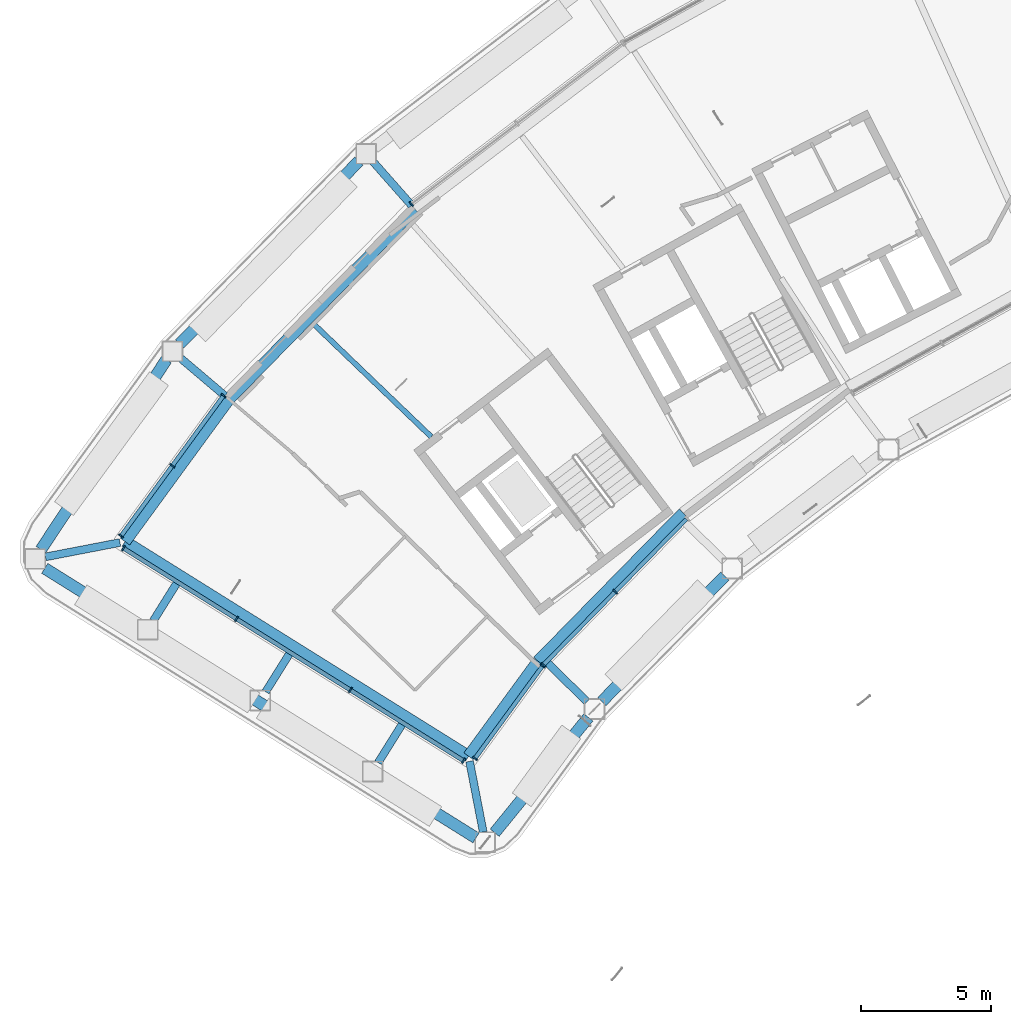
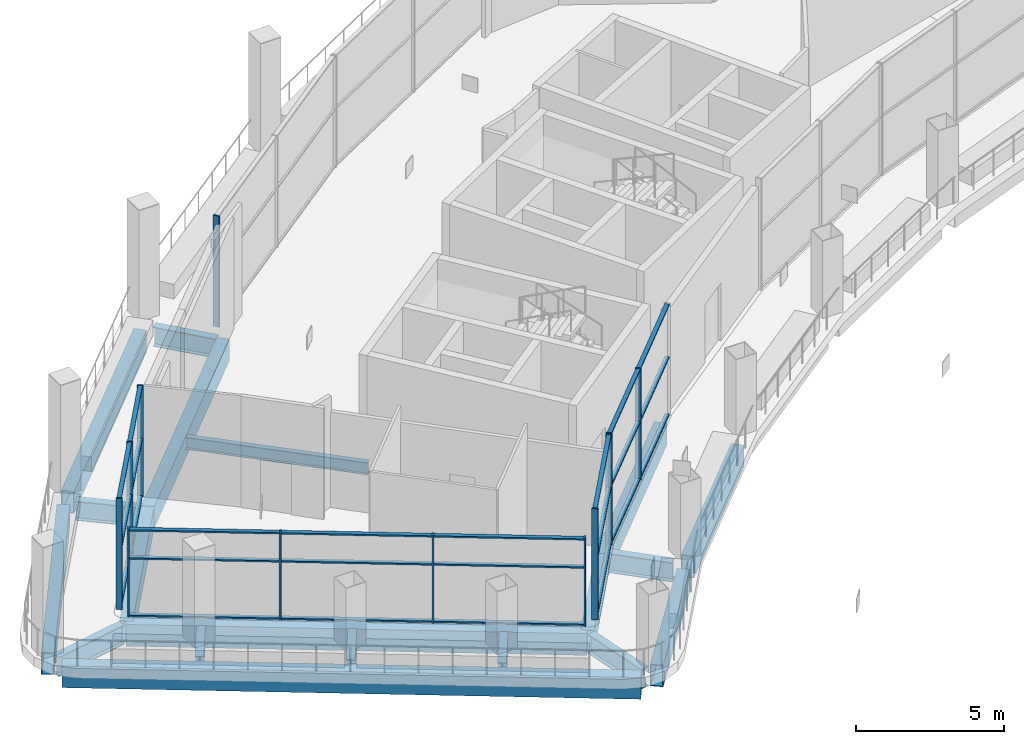
# One storey, part 3 of 29: 36 members, 19 beams, 5 elements without a shape of their own.
"""IFC4 building model written with IfcOpenShell, lengths in metres."""

from ifc_helpers import new_model, si_unit, direction, frame, origin, origin_2d, place, context, subcontext, project, spatial, rectangle, hollow_rectangle, i_section, extrude, material, layer, layer_set, material_profile, profile_set, type_object, element, aggregate, save


model = new_model("IFC4")

# Units and contexts
model_context = context("Model", 3, precision=1e-05, world=origin(), true_north=direction((0.0, 1.0)))
body_context = subcontext(model_context, "Body", "Model", "MODEL_VIEW")
ifc_project = project(units=[si_unit("LENGTHUNIT", "METRE"), si_unit("AREAUNIT", "SQUARE_METRE"), si_unit("VOLUMEUNIT", "CUBIC_METRE"), si_unit("PLANEANGLEUNIT", "RADIAN"), si_unit("MASSUNIT", "GRAM", prefix="KILO")], contexts=[model_context])

# Site, building, storey
site_placement = place(None, origin())
site = spatial("IfcSite", under=ifc_project, at=site_placement, CompositionType="ELEMENT")
building_placement = place(site_placement, origin())
building = spatial("IfcBuilding", under=site, at=building_placement, Name="Tuul Gate Civic Tower", CompositionType="ELEMENT")
storey_placement = place(building_placement, frame((0.0, 0.0, 238.89990234375)))
storey = spatial("IfcBuildingStorey", under=building, at=storey_placement, Name="Sky garden level 2", CompositionType="ELEMENT", Elevation=238.89990234375)

# Curtain wall, member
ifc_material_1 = material(Name="Aluminium", Category="aluminium")
ifc_layer_1 = layer(ifc_material_1, 0.199951171875)
ifc_layer_set_1 = layer_set([ifc_layer_1], Name="Aluminium")
curtain_wall_type_1 = type_object("IfcCurtainWallType", Name="Curtain wall CW3", PredefinedType="NOTDEFINED", material=ifc_layer_set_1)
curtain_wall_1_placement = place(storey_placement, origin())
curtain_wall_1 = element("IfcCurtainWall", 1, at=curtain_wall_1_placement, inside=storey, type_object=curtain_wall_type_1, Name="Curtain wall CW3", PredefinedType="NOTDEFINED")
ifc_material_2 = material(Name="Aluminium", Category="aluminium")
ifc_material_profile_1 = material_profile(ifc_material_2, rectangle(XDim=0.219970703125, YDim=0.06005859375, at=origin_2d()), Name="CW3 mullion")
ifc_profile_set_1 = profile_set([ifc_material_profile_1], Name="Aluminium")
member_type_1 = type_object("IfcMemberType", Name="CW3 mullion", PredefinedType="MULLION", material=ifc_profile_set_1)
member_1_placement = place(storey_placement, frame((-41.209228515625, -1.86181640625, 0.0), z_axis=(0.0, 0.0, 1.0), x_axis=(0.60576239149, -0.795645602675, 0.0)))
member_1 = element("IfcMember", 2, at=member_1_placement, type_object=member_type_1, Name="Mullion", PredefinedType="MULLION", context=body_context, shape_type="SweptSolid", body=[
    extrude(rectangle(XDim=0.219970703125, YDim=0.06005859375, at=origin_2d()), origin(), (0.0, 0.0, 1.0), 4.60009765625),
])
aggregate(curtain_wall_1, [member_1])

# Curtain wall, members
curtain_wall_2_placement = place(storey_placement, origin())
curtain_wall_2 = element("IfcCurtainWall", 3, at=curtain_wall_2_placement, inside=storey, type_object=curtain_wall_type_1, Name="Curtain wall CW3", PredefinedType="NOTDEFINED")
member_2_placement = place(storey_placement, frame((-48.461669921875, -9.26025390625, 0.0), z_axis=(0.0, 0.0, 1.0), x_axis=(0.807610302913, -0.589716540915, 0.0)))
member_2 = element("IfcMember", 4, at=member_2_placement, type_object=member_type_1, Name="Mullion", PredefinedType="MULLION", context=body_context, shape_type="SweptSolid", body=[
    extrude(rectangle(XDim=0.219970703125, YDim=0.06005859375, at=origin_2d()), origin(), (0.0, 0.0, 1.0), 4.60009765625),
])
member_3_placement = place(storey_placement, frame((-50.43994140625, -11.969482421875, 0.0), z_axis=(0.0, 0.0, 1.0), x_axis=(0.807610302913, -0.589716540915, 0.0)))
member_3 = element("IfcMember", 5, at=member_3_placement, type_object=member_type_1, Name="Mullion", PredefinedType="MULLION", context=body_context, shape_type="SweptSolid", body=[
    extrude(rectangle(XDim=0.219970703125, YDim=0.06005859375, at=origin_2d()), origin(), (0.0, 0.0, 1.0), 4.60009765625),
])
member_4_placement = place(storey_placement, frame((-52.418212890625, -14.6787109375, 0.0), z_axis=(0.0, 0.0, 1.0), x_axis=(0.807610302913, -0.589716540915, 0.0)))
member_4 = element("IfcMember", 6, at=member_4_placement, type_object=member_type_1, Name="Mullion", PredefinedType="MULLION", context=body_context, shape_type="SweptSolid", body=[
    extrude(rectangle(XDim=0.219970703125, YDim=0.06005859375, at=origin_2d()), origin(), (0.0, 0.0, 1.0), 4.60009765625),
])

curtain_wall_3_placement = place(storey_placement, origin())
curtain_wall_3 = element("IfcCurtainWall", 7, at=curtain_wall_3_placement, inside=storey, type_object=curtain_wall_type_1, Name="Curtain wall CW3", PredefinedType="NOTDEFINED")
member_5_placement = place(storey_placement, frame((-38.75537109375, -23.267822265625, 0.0), z_axis=(0.0, 0.0, 1.0), x_axis=(-0.807566892229, 0.589775986774, 0.0)))
member_5 = element("IfcMember", 8, at=member_5_placement, type_object=member_type_1, Name="Mullion", PredefinedType="MULLION", context=body_context, shape_type="SweptSolid", body=[
    extrude(rectangle(XDim=0.219970703125, YDim=0.06005859375, at=origin_2d()), origin(), (0.0, 0.0, 1.0), 4.60009765625),
])
member_6_placement = place(storey_placement, frame((-36.147705078125, -19.697265625, 0.0), z_axis=(0.0, 0.0, 1.0), x_axis=(-0.807566892229, 0.589775986774, 0.0)))
member_6 = element("IfcMember", 9, at=member_6_placement, type_object=member_type_1, Name="Mullion", PredefinedType="MULLION", context=body_context, shape_type="SweptSolid", body=[
    extrude(rectangle(XDim=0.219970703125, YDim=0.06005859375, at=origin_2d()), origin(), (0.0, 0.0, 1.0), 4.60009765625),
])

curtain_wall_4_placement = place(storey_placement, origin())
curtain_wall_4 = element("IfcCurtainWall", 10, at=curtain_wall_4_placement, inside=storey, type_object=curtain_wall_type_1, Name="Curtain wall CW3", PredefinedType="NOTDEFINED")
member_7_placement = place(storey_placement, frame((-36.10888671875, -19.651611328125, 0.0), z_axis=(0.0, 0.0, 1.0), x_axis=(-0.714099902117, 0.700043805627, 0.0)))
member_7 = element("IfcMember", 11, at=member_7_placement, type_object=member_type_1, Name="Mullion", PredefinedType="MULLION", context=body_context, shape_type="SweptSolid", body=[
    extrude(rectangle(XDim=0.219970703125, YDim=0.06005859375, at=origin_2d()), origin(), (0.0, 0.0, 1.0), 4.60009765625),
])
member_8_placement = place(storey_placement, frame((-33.341064453125, -16.827880859375, 0.0), z_axis=(0.0, 0.0, 1.0), x_axis=(-0.714099902117, 0.700043805627, 0.0)))
member_8 = element("IfcMember", 12, at=member_8_placement, type_object=member_type_1, Name="Mullion", PredefinedType="MULLION", context=body_context, shape_type="SweptSolid", body=[
    extrude(rectangle(XDim=0.219970703125, YDim=0.06005859375, at=origin_2d()), origin(), (0.0, 0.0, 1.0), 4.60009765625),
])

# Member
ifc_material_3 = material(Name="Aluminium", Category="aluminium")
ifc_material_profile_2 = material_profile(ifc_material_3, rectangle(XDim=0.159912109375, YDim=0.06005859375, at=origin_2d()), Name="CW3 transom")
ifc_profile_set_2 = profile_set([ifc_material_profile_2], Name="Aluminium")
member_type_2 = type_object("IfcMemberType", Name="CW3 transom", PredefinedType="USERDEFINED", material=ifc_profile_set_2)
member_9_placement = place(storey_placement, frame((-48.4794921875, -9.284423828125, 0.030029296875), z_axis=(-0.589695128953, -0.807625937479, 0.0), x_axis=(0.807625937479, -0.589695128953, 0.0)))
member_9 = element("IfcMember", 13, at=member_9_placement, type_object=member_type_2, Name="Transom", ObjectType="TRANSOM", PredefinedType="USERDEFINED", context=body_context, shape_type="SweptSolid", body=[
    extrude(rectangle(XDim=0.159912109375, YDim=0.06005859375, at=origin_2d()), origin(), (0.0, 0.0, 1.0), 3.294677734375),
])

member_10_placement = place(storey_placement, frame((-48.4794921875, -9.284423828125, 2.400146484375), z_axis=(-0.589695128953, -0.807625937479, 0.0), x_axis=(0.807625937479, -0.589695128953, 0.0)))
member_10 = element("IfcMember", 14, at=member_10_placement, type_object=member_type_2, Name="Transom", ObjectType="TRANSOM", PredefinedType="USERDEFINED", context=body_context, shape_type="SweptSolid", body=[
    extrude(rectangle(XDim=0.159912109375, YDim=0.06005859375, at=origin_2d()), origin(), (0.0, 0.0, 1.0), 3.294677734375),
])

member_11_placement = place(storey_placement, frame((-48.4794921875, -9.284423828125, 4.570068359375), z_axis=(-0.589695128953, -0.807625937479, 0.0), x_axis=(0.807625937479, -0.589695128953, 0.0)))
member_11 = element("IfcMember", 15, at=member_11_placement, type_object=member_type_2, Name="Transom", ObjectType="TRANSOM", PredefinedType="USERDEFINED", context=body_context, shape_type="SweptSolid", body=[
    extrude(rectangle(XDim=0.159912109375, YDim=0.06005859375, at=origin_2d()), origin(), (0.0, 0.0, 1.0), 3.294677734375),
])

member_12_placement = place(storey_placement, frame((-50.457763671875, -11.99365234375, 0.030029296875), z_axis=(-0.589695128953, -0.807625937479, 0.0), x_axis=(0.807625937479, -0.589695128953, 0.0)))
member_12 = element("IfcMember", 16, at=member_12_placement, type_object=member_type_2, Name="Transom", ObjectType="TRANSOM", PredefinedType="USERDEFINED", context=body_context, shape_type="SweptSolid", body=[
    extrude(rectangle(XDim=0.159912109375, YDim=0.06005859375, at=origin_2d()), origin(), (0.0, 0.0, 1.0), 3.294677734375),
])

member_13_placement = place(storey_placement, frame((-50.457763671875, -11.99365234375, 2.400146484375), z_axis=(-0.589695128953, -0.807625937479, 0.0), x_axis=(0.807625937479, -0.589695128953, 0.0)))
member_13 = element("IfcMember", 17, at=member_13_placement, type_object=member_type_2, Name="Transom", ObjectType="TRANSOM", PredefinedType="USERDEFINED", context=body_context, shape_type="SweptSolid", body=[
    extrude(rectangle(XDim=0.159912109375, YDim=0.06005859375, at=origin_2d()), origin(), (0.0, 0.0, 1.0), 3.294677734375),
])

member_14_placement = place(storey_placement, frame((-50.457763671875, -11.99365234375, 4.570068359375), z_axis=(-0.589695128953, -0.807625937479, 0.0), x_axis=(0.807625937479, -0.589695128953, 0.0)))
member_14 = element("IfcMember", 18, at=member_14_placement, type_object=member_type_2, Name="Transom", ObjectType="TRANSOM", PredefinedType="USERDEFINED", context=body_context, shape_type="SweptSolid", body=[
    extrude(rectangle(XDim=0.159912109375, YDim=0.06005859375, at=origin_2d()), origin(), (0.0, 0.0, 1.0), 3.294677734375),
])

aggregate(curtain_wall_2, [member_2, member_3, member_4, member_9, member_10, member_11, member_12, member_13, member_14])

member_15_placement = place(storey_placement, frame((-38.737548828125, -23.24365234375, 0.030029296875), z_axis=(0.589768148936, 0.80757261624, 0.0), x_axis=(-0.80757261624, 0.589768148936, 0.0)))
member_15 = element("IfcMember", 19, at=member_15_placement, type_object=member_type_2, Name="Transom", ObjectType="TRANSOM", PredefinedType="USERDEFINED", context=body_context, shape_type="SweptSolid", body=[
    extrude(rectangle(XDim=0.159912109375, YDim=0.06005859375, at=origin_2d()), origin(), (0.0, 0.0, 1.0), 4.361572265625),
])

member_16_placement = place(storey_placement, frame((-38.737548828125, -23.24365234375, 2.400146484375), z_axis=(0.589768148936, 0.80757261624, 0.0), x_axis=(-0.80757261624, 0.589768148936, 0.0)))
member_16 = element("IfcMember", 20, at=member_16_placement, type_object=member_type_2, Name="Transom", ObjectType="TRANSOM", PredefinedType="USERDEFINED", context=body_context, shape_type="SweptSolid", body=[
    extrude(rectangle(XDim=0.159912109375, YDim=0.06005859375, at=origin_2d()), origin(), (0.0, 0.0, 1.0), 4.361572265625),
])

member_17_placement = place(storey_placement, frame((-38.737548828125, -23.24365234375, 4.570068359375), z_axis=(0.589768148936, 0.80757261624, 0.0), x_axis=(-0.80757261624, 0.589768148936, 0.0)))
member_17 = element("IfcMember", 21, at=member_17_placement, type_object=member_type_2, Name="Transom", ObjectType="TRANSOM", PredefinedType="USERDEFINED", context=body_context, shape_type="SweptSolid", body=[
    extrude(rectangle(XDim=0.159912109375, YDim=0.06005859375, at=origin_2d()), origin(), (0.0, 0.0, 1.0), 4.361572265625),
])

aggregate(curtain_wall_3, [member_5, member_6, member_15, member_16, member_17])

member_18_placement = place(storey_placement, frame((-36.087890625, -19.630126953125, 0.030029296875), z_axis=(0.700018126509, 0.714125074871, 0.0), x_axis=(-0.714125074871, 0.700018126509, 0.0)))
member_18 = element("IfcMember", 22, at=member_18_placement, type_object=member_type_2, Name="Transom", ObjectType="TRANSOM", PredefinedType="USERDEFINED", context=body_context, shape_type="SweptSolid", body=[
    extrude(rectangle(XDim=0.159912109375, YDim=0.06005859375, at=origin_2d()), origin(), (0.0, 0.0, 1.0), 3.89404296875),
])

member_19_placement = place(storey_placement, frame((-36.087890625, -19.630126953125, 2.400146484375), z_axis=(0.700018126509, 0.714125074871, 0.0), x_axis=(-0.714125074871, 0.700018126509, 0.0)))
member_19 = element("IfcMember", 23, at=member_19_placement, type_object=member_type_2, Name="Transom", ObjectType="TRANSOM", PredefinedType="USERDEFINED", context=body_context, shape_type="SweptSolid", body=[
    extrude(rectangle(XDim=0.159912109375, YDim=0.06005859375, at=origin_2d()), origin(), (0.0, 0.0, 1.0), 3.89404296875),
])

member_20_placement = place(storey_placement, frame((-36.087890625, -19.630126953125, 4.570068359375), z_axis=(0.700018126509, 0.714125074871, 0.0), x_axis=(-0.714125074871, 0.700018126509, 0.0)))
member_20 = element("IfcMember", 24, at=member_20_placement, type_object=member_type_2, Name="Transom", ObjectType="TRANSOM", PredefinedType="USERDEFINED", context=body_context, shape_type="SweptSolid", body=[
    extrude(rectangle(XDim=0.159912109375, YDim=0.06005859375, at=origin_2d()), origin(), (0.0, 0.0, 1.0), 3.89404296875),
])

member_21_placement = place(storey_placement, frame((-33.320068359375, -16.806640625, 0.030029296875), z_axis=(0.700050098562, 0.714093732995, 0.0), x_axis=(-0.714093732995, 0.700050098562, 0.0)))
member_21 = element("IfcMember", 25, at=member_21_placement, type_object=member_type_2, Name="Transom", ObjectType="TRANSOM", PredefinedType="USERDEFINED", context=body_context, shape_type="SweptSolid", body=[
    extrude(rectangle(XDim=0.159912109375, YDim=0.06005859375, at=origin_2d()), origin(), (0.0, 0.0, 1.0), 3.89404296875),
])

member_22_placement = place(storey_placement, frame((-33.320068359375, -16.806640625, 2.400146484375), z_axis=(0.700050098562, 0.714093732995, 0.0), x_axis=(-0.714093732995, 0.700050098562, 0.0)))
member_22 = element("IfcMember", 26, at=member_22_placement, type_object=member_type_2, Name="Transom", ObjectType="TRANSOM", PredefinedType="USERDEFINED", context=body_context, shape_type="SweptSolid", body=[
    extrude(rectangle(XDim=0.159912109375, YDim=0.06005859375, at=origin_2d()), origin(), (0.0, 0.0, 1.0), 3.89404296875),
])

member_23_placement = place(storey_placement, frame((-33.320068359375, -16.806640625, 4.570068359375), z_axis=(0.700050098562, 0.714093732995, 0.0), x_axis=(-0.714093732995, 0.700050098562, 0.0)))
member_23 = element("IfcMember", 27, at=member_23_placement, type_object=member_type_2, Name="Transom", ObjectType="TRANSOM", PredefinedType="USERDEFINED", context=body_context, shape_type="SweptSolid", body=[
    extrude(rectangle(XDim=0.159912109375, YDim=0.06005859375, at=origin_2d()), origin(), (0.0, 0.0, 1.0), 3.89404296875),
])

aggregate(curtain_wall_4, [member_7, member_8, member_18, member_19, member_20, member_21, member_22, member_23])

# Curtain wall, members
ifc_material_4 = material(Name="Aluminium", Category="aluminium")
ifc_layer_2 = layer(ifc_material_4, 0.199951171875)
ifc_layer_set_2 = layer_set([ifc_layer_2], Name="Aluminium")
curtain_wall_type_2 = type_object("IfcCurtainWallType", Name="Curtain wall CW3B", PredefinedType="NOTDEFINED", material=ifc_layer_set_2)
curtain_wall_5_placement = place(storey_placement, origin())
curtain_wall_5 = element("IfcCurtainWall", 28, at=curtain_wall_5_placement, inside=storey, type_object=curtain_wall_type_2, Name="Curtain wall CW3B", PredefinedType="NOTDEFINED")
ifc_material_5 = material(Name="Aluminium", Category="aluminium")
ifc_material_profile_3 = material_profile(ifc_material_5, rectangle(XDim=0.219970703125, YDim=0.06005859375, at=origin_2d()), Name="CW3B mullion")
ifc_profile_set_3 = profile_set([ifc_material_profile_3], Name="Aluminium")
member_type_3 = type_object("IfcMemberType", Name="CW3B mullion", PredefinedType="MULLION", material=ifc_profile_set_3)
member_24_placement = place(storey_placement, frame((-52.32763671875, -15.14990234375, 0.0), z_axis=(0.0, 0.0, 1.0), x_axis=(0.52995845166, 0.848023607876, 0.0)))
member_24 = element("IfcMember", 29, at=member_24_placement, type_object=member_type_3, Name="Mullion", PredefinedType="MULLION", context=body_context, shape_type="SweptSolid", body=[
    extrude(rectangle(XDim=0.219970703125, YDim=0.06005859375, at=origin_2d()), origin(), (0.0, 0.0, 1.0), 3.59521484375),
])
member_25_placement = place(storey_placement, frame((-47.9599609375, -17.87939453125, 0.0), z_axis=(0.0, 0.0, 1.0), x_axis=(0.52995845166, 0.848023607876, 0.0)))
member_25 = element("IfcMember", 30, at=member_25_placement, type_object=member_type_3, Name="Mullion", PredefinedType="MULLION", context=body_context, shape_type="SweptSolid", body=[
    extrude(rectangle(XDim=0.219970703125, YDim=0.06005859375, at=origin_2d()), origin(), (0.0, 0.0, 1.0), 3.59521484375),
])
member_26_placement = place(storey_placement, frame((-43.56689453125, -20.624755859375, 0.0), z_axis=(0.0, 0.0, 1.0), x_axis=(0.52995845166, 0.848023607876, 0.0)))
member_26 = element("IfcMember", 31, at=member_26_placement, type_object=member_type_3, Name="Mullion", PredefinedType="MULLION", context=body_context, shape_type="SweptSolid", body=[
    extrude(rectangle(XDim=0.219970703125, YDim=0.06005859375, at=origin_2d()), origin(), (0.0, 0.0, 1.0), 3.59521484375),
])
member_27_placement = place(storey_placement, frame((-39.199462890625, -23.35400390625, 0.0), z_axis=(0.0, 0.0, 1.0), x_axis=(0.52995845166, 0.848023607876, 0.0)))
member_27 = element("IfcMember", 32, at=member_27_placement, type_object=member_type_3, Name="Mullion", PredefinedType="MULLION", context=body_context, shape_type="SweptSolid", body=[
    extrude(rectangle(XDim=0.219970703125, YDim=0.06005859375, at=origin_2d()), origin(), (0.0, 0.0, 1.0), 3.59521484375),
])
ifc_material_6 = material(Name="Aluminium", Category="aluminium")
ifc_material_profile_4 = material_profile(ifc_material_6, rectangle(XDim=0.159912109375, YDim=0.06005859375, at=origin_2d()), Name="CW3B transom")
ifc_profile_set_4 = profile_set([ifc_material_profile_4], Name="Aluminium")
member_type_4 = type_object("IfcMemberType", Name="CW3B transom", PredefinedType="USERDEFINED", material=ifc_profile_set_4)
member_28_placement = place(storey_placement, frame((-52.302001953125, -15.165771484375, 0.030029296875), z_axis=(0.848011776134, -0.529977383987, 0.0), x_axis=(0.529977383987, 0.848011776134, 0.0)))
member_28 = element("IfcMember", 33, at=member_28_placement, type_object=member_type_4, Name="Transom", ObjectType="TRANSOM", PredefinedType="USERDEFINED", context=body_context, shape_type="SweptSolid", body=[
    extrude(rectangle(XDim=0.159912109375, YDim=0.06005859375, at=origin_2d()), origin(), (0.0, 0.0, 1.0), 5.09033203125),
])
member_29_placement = place(storey_placement, frame((-52.302001953125, -15.165771484375, 2.400146484375), z_axis=(0.848011776134, -0.529977383987, 0.0), x_axis=(0.529977383987, 0.848011776134, 0.0)))
member_29 = element("IfcMember", 34, at=member_29_placement, type_object=member_type_4, Name="Transom", ObjectType="TRANSOM", PredefinedType="USERDEFINED", context=body_context, shape_type="SweptSolid", body=[
    extrude(rectangle(XDim=0.159912109375, YDim=0.06005859375, at=origin_2d()), origin(), (0.0, 0.0, 1.0), 5.09033203125),
])
member_30_placement = place(storey_placement, frame((-52.302001953125, -15.165771484375, 3.565185546875), z_axis=(0.848011776134, -0.529977383987, 0.0), x_axis=(0.529977383987, 0.848011776134, 0.0)))
member_30 = element("IfcMember", 35, at=member_30_placement, type_object=member_type_4, Name="Transom", ObjectType="TRANSOM", PredefinedType="USERDEFINED", context=body_context, shape_type="SweptSolid", body=[
    extrude(rectangle(XDim=0.159912109375, YDim=0.06005859375, at=origin_2d()), origin(), (0.0, 0.0, 1.0), 5.09033203125),
])
member_31_placement = place(storey_placement, frame((-47.9345703125, -17.895263671875, 0.030029296875), z_axis=(0.848011697354, -0.529977510042, 0.0), x_axis=(0.529977510042, 0.848011697354, 0.0)))
member_31 = element("IfcMember", 36, at=member_31_placement, type_object=member_type_4, Name="Transom", ObjectType="TRANSOM", PredefinedType="USERDEFINED", context=body_context, shape_type="SweptSolid", body=[
    extrude(rectangle(XDim=0.159912109375, YDim=0.06005859375, at=origin_2d()), origin(), (0.0, 0.0, 1.0), 5.120361328125),
])
member_32_placement = place(storey_placement, frame((-47.9345703125, -17.895263671875, 2.400146484375), z_axis=(0.848011697354, -0.529977510042, 0.0), x_axis=(0.529977510042, 0.848011697354, 0.0)))
member_32 = element("IfcMember", 37, at=member_32_placement, type_object=member_type_4, Name="Transom", ObjectType="TRANSOM", PredefinedType="USERDEFINED", context=body_context, shape_type="SweptSolid", body=[
    extrude(rectangle(XDim=0.159912109375, YDim=0.06005859375, at=origin_2d()), origin(), (0.0, 0.0, 1.0), 5.120361328125),
])
member_33_placement = place(storey_placement, frame((-47.9345703125, -17.895263671875, 3.565185546875), z_axis=(0.848011697354, -0.529977510042, 0.0), x_axis=(0.529977510042, 0.848011697354, 0.0)))
member_33 = element("IfcMember", 38, at=member_33_placement, type_object=member_type_4, Name="Transom", ObjectType="TRANSOM", PredefinedType="USERDEFINED", context=body_context, shape_type="SweptSolid", body=[
    extrude(rectangle(XDim=0.159912109375, YDim=0.06005859375, at=origin_2d()), origin(), (0.0, 0.0, 1.0), 5.120361328125),
])
member_34_placement = place(storey_placement, frame((-43.54150390625, -20.640625, 0.030029296875), z_axis=(0.848033331291, -0.529942892225, 0.0), x_axis=(0.529942892225, 0.848033331291, 0.0)))
member_34 = element("IfcMember", 39, at=member_34_placement, type_object=member_type_4, Name="Transom", ObjectType="TRANSOM", PredefinedType="USERDEFINED", context=body_context, shape_type="SweptSolid", body=[
    extrude(rectangle(XDim=0.159912109375, YDim=0.06005859375, at=origin_2d()), origin(), (0.0, 0.0, 1.0), 5.090087890625),
])
member_35_placement = place(storey_placement, frame((-43.54150390625, -20.640625, 2.400146484375), z_axis=(0.848033331291, -0.529942892225, 0.0), x_axis=(0.529942892225, 0.848033331291, 0.0)))
member_35 = element("IfcMember", 40, at=member_35_placement, type_object=member_type_4, Name="Transom", ObjectType="TRANSOM", PredefinedType="USERDEFINED", context=body_context, shape_type="SweptSolid", body=[
    extrude(rectangle(XDim=0.159912109375, YDim=0.06005859375, at=origin_2d()), origin(), (0.0, 0.0, 1.0), 5.090087890625),
])
member_36_placement = place(storey_placement, frame((-43.54150390625, -20.640625, 3.565185546875), z_axis=(0.848033331291, -0.529942892225, 0.0), x_axis=(0.529942892225, 0.848033331291, 0.0)))
member_36 = element("IfcMember", 41, at=member_36_placement, type_object=member_type_4, Name="Transom", ObjectType="TRANSOM", PredefinedType="USERDEFINED", context=body_context, shape_type="SweptSolid", body=[
    extrude(rectangle(XDim=0.159912109375, YDim=0.06005859375, at=origin_2d()), origin(), (0.0, 0.0, 1.0), 5.090087890625),
])
aggregate(curtain_wall_5, [member_24, member_25, member_26, member_27, member_28, member_29, member_30, member_31, member_32, member_33, member_34, member_35, member_36])

# Beams
ifc_material_7 = material(Name="Steel S355", Category="steel")
ifc_material_profile_5 = material_profile(ifc_material_7, i_section(OverallWidth=0.199951171875, OverallDepth=0.5, WebThickness=0.010009765625, FlangeThickness=0.01611328125, at=origin_2d()), Name="PG500x200x10x16")
ifc_profile_set_5 = profile_set([ifc_material_profile_5], Name="Steel S355")
beam_type_1 = type_object("IfcBeamType", Name="STR-FLOOR BEAM-PG500x200x10x16", PredefinedType="BEAM", material=ifc_profile_set_5)
beam_1_placement = place(storey_placement, frame((-40.443603515625, -10.848388671875, -0.64990234375), z_axis=(-0.72173494993, 0.692169532737, 0.0), x_axis=(-0.692169532737, -0.72173494993, 0.0)))
element("IfcBeam", 42, at=beam_1_placement, inside=storey, type_object=beam_type_1, Name="Floor beam", PredefinedType="BEAM", context=body_context, shape_type="SweptSolid", body=[
    extrude(i_section(OverallWidth=0.199951171875, OverallDepth=0.5, WebThickness=0.010009765625, FlangeThickness=0.01611328125, at=origin_2d()), origin(), (0.0, 0.0, 1.0), 6.341796875),
])
ifc_material_8 = material(Name="Steel S355", Category="steel")
ifc_material_profile_6 = material_profile(ifc_material_8, i_section(OverallWidth=0.300048828125, OverallDepth=0.800048828125, WebThickness=0.013916015625, FlangeThickness=0.02490234375, at=origin_2d()), Name="PG800x300x14x25")
ifc_profile_set_6 = profile_set([ifc_material_profile_6], Name="Steel S355")
beam_type_2 = type_object("IfcBeamType", Name="STR-FLOOR BEAM-PG800x300x14x25", PredefinedType="BEAM", material=ifc_profile_set_6)
beam_2_placement = place(storey_placement, frame((-42.693359375, -0.224853515625, -0.7998046875), z_axis=(0.661789687014, -0.749689542519, 0.0), x_axis=(0.749689542519, 0.661789687014, 0.0)))
element("IfcBeam", 43, at=beam_2_placement, inside=storey, type_object=beam_type_2, Name="Terrace beam", PredefinedType="BEAM", context=body_context, shape_type="SweptSolid", body=[
    extrude(i_section(OverallWidth=0.300048828125, OverallDepth=0.800048828125, WebThickness=0.013916015625, FlangeThickness=0.02490234375, at=origin_2d()), origin(), (0.0, 0.0, 1.0), 2.258056640625),
])
beam_3_placement = place(storey_placement, frame((-50.126953125, -7.80859375, -0.7998046875), z_axis=(0.762725661704, -0.646722169853, 0.0), x_axis=(0.646722169853, 0.762725661704, 0.0)))
element("IfcBeam", 44, at=beam_3_placement, inside=storey, type_object=beam_type_2, Name="Terrace beam", PredefinedType="BEAM", context=body_context, shape_type="SweptSolid", body=[
    extrude(i_section(OverallWidth=0.300048828125, OverallDepth=0.800048828125, WebThickness=0.013916015625, FlangeThickness=0.02490234375, at=origin_2d()), origin(), (0.0, 0.0, 1.0), 2.25830078125),
])
beam_4_placement = place(storey_placement, frame((-55.33837890625, -15.487060546875, -0.7998046875), z_axis=(0.981838995902, 0.189716067126, 0.0), x_axis=(-0.189716067126, 0.981838995902, 0.0)))
element("IfcBeam", 45, at=beam_4_placement, inside=storey, type_object=beam_type_2, Name="Terrace beam", PredefinedType="BEAM", context=body_context, shape_type="SweptSolid", body=[
    extrude(i_section(OverallWidth=0.300048828125, OverallDepth=0.800048828125, WebThickness=0.013916015625, FlangeThickness=0.02490234375, at=origin_2d()), origin(), (0.0, 0.0, 1.0), 2.928955078125),
])
beam_5_placement = place(storey_placement, frame((-51.177001953125, -17.957763671875, -0.7998046875), z_axis=(0.529866398027, 0.848081128337, 0.0), x_axis=(-0.848081128337, 0.529866398027, 0.0)))
element("IfcBeam", 46, at=beam_5_placement, inside=storey, type_object=beam_type_2, Name="Terrace beam", PredefinedType="BEAM", context=body_context, shape_type="SweptSolid", body=[
    extrude(i_section(OverallWidth=0.300048828125, OverallDepth=0.800048828125, WebThickness=0.013916015625, FlangeThickness=0.02490234375, at=origin_2d()), origin(), (0.0, 0.0, 1.0), 1.8212890625),
])
beam_6_placement = place(storey_placement, frame((-46.833984375, -20.69287109375, -0.7998046875), z_axis=(0.529891551908, 0.848065412109, 0.0), x_axis=(-0.848065412109, 0.529891551908, 0.0)))
element("IfcBeam", 47, at=beam_6_placement, inside=storey, type_object=beam_type_2, Name="Terrace beam", PredefinedType="BEAM", context=body_context, shape_type="SweptSolid", body=[
    extrude(i_section(OverallWidth=0.300048828125, OverallDepth=0.800048828125, WebThickness=0.013916015625, FlangeThickness=0.02490234375, at=origin_2d()), origin(), (0.0, 0.0, 1.0), 1.83935546875),
])
beam_7_placement = place(storey_placement, frame((-42.491943359375, -23.427734375, -0.7998046875), z_axis=(0.529951681138, 0.848027838964, 0.0), x_axis=(-0.848027838964, 0.529951681138, 0.0)))
element("IfcBeam", 48, at=beam_7_placement, inside=storey, type_object=beam_type_2, Name="Terrace beam", PredefinedType="BEAM", context=body_context, shape_type="SweptSolid", body=[
    extrude(i_section(OverallWidth=0.300048828125, OverallDepth=0.800048828125, WebThickness=0.013916015625, FlangeThickness=0.02490234375, at=origin_2d()), origin(), (0.0, 0.0, 1.0), 1.857421875),
])
beam_8_placement = place(storey_placement, frame((-38.43701171875, -26.108154296875, -0.7998046875), z_axis=(-0.18969421735, 0.981843217578, 0.0), x_axis=(-0.981843217578, -0.18969421735, 0.0)))
element("IfcBeam", 49, at=beam_8_placement, inside=storey, type_object=beam_type_2, Name="Terrace beam", PredefinedType="BEAM", context=body_context, shape_type="SweptSolid", body=[
    extrude(i_section(OverallWidth=0.300048828125, OverallDepth=0.800048828125, WebThickness=0.013916015625, FlangeThickness=0.02490234375, at=origin_2d()), origin(), (0.0, 0.0, 1.0), 2.780029296875),
])
beam_9_placement = place(storey_placement, frame((-34.4267578125, -21.0791015625, -0.7998046875), z_axis=(-0.714070712011, 0.700073580595, 0.0), x_axis=(-0.700073580595, -0.714070712011, 0.0)))
element("IfcBeam", 50, at=beam_9_placement, inside=storey, type_object=beam_type_2, Name="Terrace beam", PredefinedType="BEAM", context=body_context, shape_type="SweptSolid", body=[
    extrude(i_section(OverallWidth=0.300048828125, OverallDepth=0.800048828125, WebThickness=0.013916015625, FlangeThickness=0.02490234375, at=origin_2d()), origin(), (0.0, 0.0, 1.0), 2.25),
])
ifc_material_9 = material(Name="Steel S355", Category="steel")
ifc_material_profile_7 = material_profile(ifc_material_9, hollow_rectangle(XDim=0.449951171875, YDim=0.89990234375, WallThickness=0.02490234375, at=origin_2d()), Name="BOX900x450x25")
ifc_profile_set_7 = profile_set([ifc_material_profile_7], Name="Steel S355")
beam_type_3 = type_object("IfcBeamType", Name="STR-SPANDREL BEAM-BOX900x450x25", PredefinedType="BEAM", material=ifc_profile_set_7)
beam_10_placement = place(storey_placement, frame((-52.26611328125, -14.8935546875, -0.849853515625), z_axis=(0.589849267271, 0.807513369487, 0.0), x_axis=(-0.807513369487, 0.589849267271, 0.0)))
element("IfcBeam", 51, at=beam_10_placement, inside=storey, type_object=beam_type_3, Name="Spandrel beam", PredefinedType="BEAM", context=body_context, shape_type="SweptSolid", body=[
    extrude(hollow_rectangle(XDim=0.449951171875, YDim=0.89990234375, WallThickness=0.02490234375, at=origin_2d()), origin(), (0.0, 0.0, 1.0), 6.804931640625),
])
beam_11_placement = place(storey_placement, frame((-48.252197265625, -9.3984375, -0.849853515625), z_axis=(0.699995790317, 0.714146969144, 0.0), x_axis=(-0.714146969144, 0.699995790317, 0.0)))
element("IfcBeam", 52, at=beam_11_placement, inside=storey, type_object=beam_type_3, Name="Spandrel beam", PredefinedType="BEAM", context=body_context, shape_type="SweptSolid", body=[
    extrude(hollow_rectangle(XDim=0.449951171875, YDim=0.89990234375, WallThickness=0.02490234375, at=origin_2d()), origin(), (0.0, 0.0, 1.0), 10.26513671875),
])
beam_12_placement = place(storey_placement, frame((-30.71728515625, -13.79541015625, -0.849853515625), z_axis=(-0.700026279004, -0.71411708333, 0.0), x_axis=(0.71411708333, -0.700026279004, 0.0)))
element("IfcBeam", 53, at=beam_12_placement, inside=storey, type_object=beam_type_3, Name="Spandrel beam", PredefinedType="BEAM", context=body_context, shape_type="SweptSolid", body=[
    extrude(hollow_rectangle(XDim=0.449951171875, YDim=0.89990234375, WallThickness=0.02490234375, at=origin_2d()), origin(), (0.0, 0.0, 1.0), 8.004638671875),
])
beam_13_placement = place(storey_placement, frame((-36.32080078125, -19.51171875, -0.849853515625), z_axis=(-0.58993309733, -0.80745212903, 0.0), x_axis=(0.80745212903, -0.58993309733, 0.0)))
element("IfcBeam", 54, at=beam_13_placement, inside=storey, type_object=beam_type_3, Name="Spandrel beam", PredefinedType="BEAM", context=body_context, shape_type="SweptSolid", body=[
    extrude(hollow_rectangle(XDim=0.449951171875, YDim=0.89990234375, WallThickness=0.02490234375, at=origin_2d()), origin(), (0.0, 0.0, 1.0), 4.545654296875),
])
beam_14_placement = place(storey_placement, frame((-39.00244140625, -23.18212890625, -0.849853515625), z_axis=(-0.848033379695, 0.529942814767, 0.0), x_axis=(-0.529942814767, -0.848033379695, 0.0)))
element("IfcBeam", 55, at=beam_14_placement, inside=storey, type_object=beam_type_3, Name="Spandrel beam", PredefinedType="BEAM", context=body_context, shape_type="SweptSolid", body=[
    extrude(hollow_rectangle(XDim=0.449951171875, YDim=0.89990234375, WallThickness=0.02490234375, at=origin_2d()), origin(), (0.0, 0.0, 1.0), 15.640625),
])
beam_15_placement = place(storey_placement, frame((-43.238037109375, -0.210693359375, -0.849853515625), z_axis=(-0.700002211949, -0.714140674704, 0.0), x_axis=(0.714140674704, -0.700002211949, 0.0)))
element("IfcBeam", 56, at=beam_15_placement, inside=storey, type_object=beam_type_3, Name="Terrace edge beam", PredefinedType="BEAM", context=body_context, shape_type="SweptSolid", body=[
    extrude(hollow_rectangle(XDim=0.449951171875, YDim=0.89990234375, WallThickness=0.02490234375, at=origin_2d()), origin(), (0.0, 0.0, 1.0), 9.877197265625),
])
beam_16_placement = place(storey_placement, frame((-50.66796875, -7.873046875, -0.849853515625), z_axis=(-0.55126589804, -0.834329616913, 0.0), x_axis=(0.834329616913, -0.55126589804, 0.0)))
element("IfcBeam", 57, at=beam_16_placement, inside=storey, type_object=beam_type_3, Name="Terrace edge beam", PredefinedType="BEAM", context=body_context, shape_type="SweptSolid", body=[
    extrude(hollow_rectangle(XDim=0.449951171875, YDim=0.89990234375, WallThickness=0.02490234375, at=origin_2d()), origin(), (0.0, 0.0, 1.0), 8.788818359375),
])
beam_17_placement = place(storey_placement, frame((-55.366455078125, -15.927490234375, -0.849853515625), z_axis=(0.847973855304, -0.530038055917, 0.0), x_axis=(0.530038055917, 0.847973855304, 0.0)))
element("IfcBeam", 58, at=beam_17_placement, inside=storey, type_object=beam_type_3, Name="Terrace edge beam", PredefinedType="BEAM", context=body_context, shape_type="SweptSolid", body=[
    extrude(hollow_rectangle(XDim=0.449951171875, YDim=0.89990234375, WallThickness=0.02490234375, at=origin_2d()), origin(), (0.0, 0.0, 1.0), 19.6357421875),
])
beam_18_placement = place(storey_placement, frame((-37.996337890625, -26.136474609375, -0.849853515625), z_axis=(0.630595827798, 0.776111397909, 0.0), x_axis=(-0.776111397909, 0.630595827798, 0.0)))
element("IfcBeam", 59, at=beam_18_placement, inside=storey, type_object=beam_type_3, Name="Terrace edge beam", PredefinedType="BEAM", context=body_context, shape_type="SweptSolid", body=[
    extrude(hollow_rectangle(XDim=0.449951171875, YDim=0.89990234375, WallThickness=0.02490234375, at=origin_2d()), origin(), (0.0, 0.0, 1.0), 5.73974609375),
])
beam_19_placement = place(storey_placement, frame((-33.861083984375, -21.0732421875, -0.849853515625), z_axis=(0.700043734747, 0.714099971602, 0.0), x_axis=(-0.714099971602, 0.700043734747, 0.0)))
element("IfcBeam", 60, at=beam_19_placement, inside=storey, type_object=beam_type_3, Name="Terrace edge beam", PredefinedType="BEAM", context=body_context, shape_type="SweptSolid", body=[
    extrude(hollow_rectangle(XDim=0.449951171875, YDim=0.89990234375, WallThickness=0.02490234375, at=origin_2d()), origin(), (0.0, 0.0, 1.0), 6.791259765625),
])

save(model, "model.ifc")
